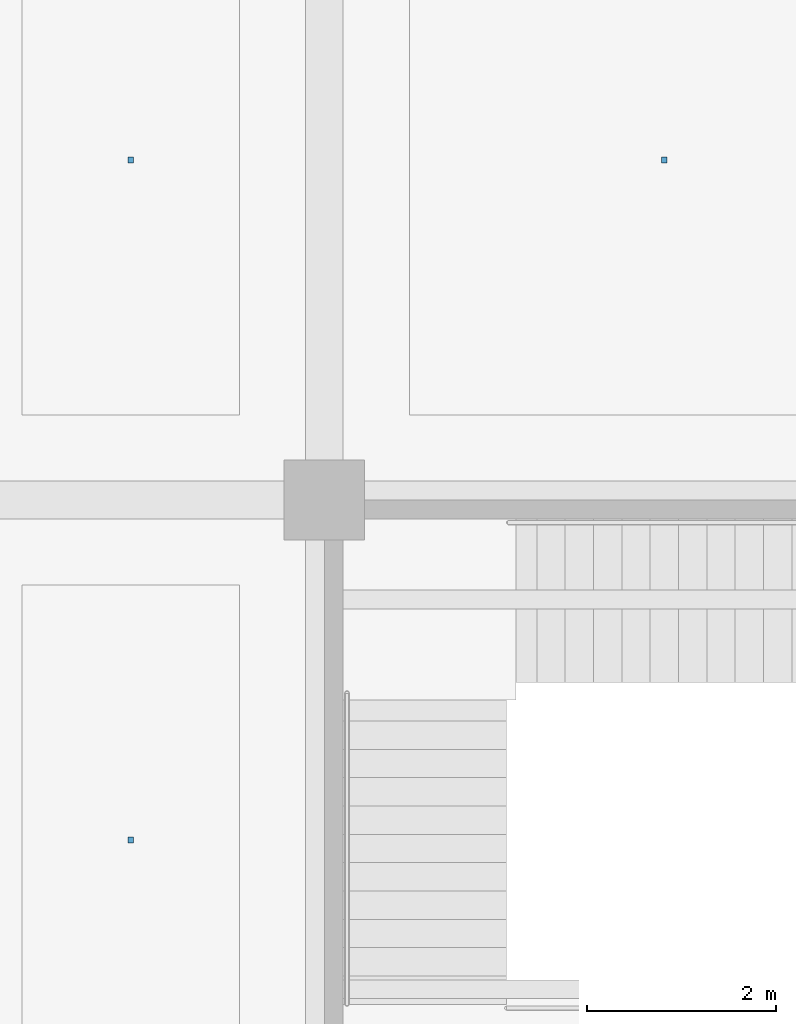
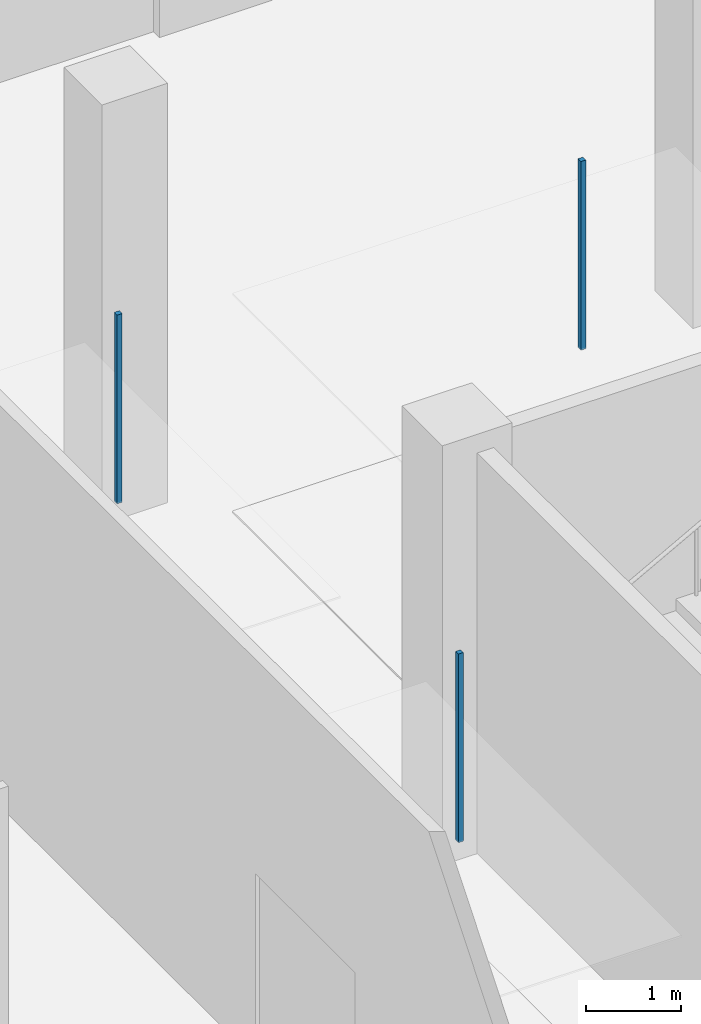
# One storey, part 82 of 90: 3 discrete accessories.
"""IFC4 building model written with IfcOpenShell, lengths in metres."""

from ifc_helpers import new_model, si_unit, direction, frame, origin, origin_2d, place, context, subcontext, project, spatial, rectangle, extrude, material, type_object, element, save


model = new_model("IFC4")

# Units and contexts
model_context = context("Model", 3, precision=1e-05, world=origin(), true_north=direction((0.0, 1.0)))
body_context = subcontext(model_context, "Body", "Model", "MODEL_VIEW")
ifc_project = project(units=[si_unit("LENGTHUNIT", "METRE"), si_unit("AREAUNIT", "SQUARE_METRE"), si_unit("VOLUMEUNIT", "CUBIC_METRE"), si_unit("PLANEANGLEUNIT", "RADIAN"), si_unit("MASSUNIT", "GRAM", prefix="KILO")], contexts=[model_context])

# Site, building, storey
site_placement = place(None, origin())
site = spatial("IfcSite", under=ifc_project, at=site_placement, CompositionType="ELEMENT")
building_placement = place(site_placement, origin())
building = spatial("IfcBuilding", under=site, at=building_placement, Name="Kangsadwip Square Police Headquarters", CompositionType="ELEMENT")
storey_placement = place(building_placement, origin())
storey = spatial("IfcBuildingStorey", under=building, at=storey_placement, Name="L00", CompositionType="ELEMENT", Elevation=0.0)

# Discrete accessories
ifc_material = material(Name="Structural steel IS 2062 E350 (Grade 350, 350 MPa)", Category="steel")
discrete_accessory_type = type_object("IfcDiscreteAccessoryType", Name="VeilOutriggerBracket", PredefinedType="BRACKET", material=ifc_material)
for number, where, z_axis, x_axis, name in (
    (1, (149.14990234375, 97.199951171875, 2.81005859375), (0.0, 0.0, 1.0), (1.0, 0.0, 0.0), "Ceiling Suspension Hanger L00-009"),
    (2, (149.14990234375, 104.39990234375, 2.81005859375), (0.0, 0.0, 1.0), (1.0, 0.0, 0.0), "Ceiling Suspension Hanger L00-010"),
    (3, (154.800048828125, 104.39990234375, 2.81005859375), (0.0, 0.0, 1.0), (1.0, 0.0, 0.0), "Ceiling Suspension Hanger L00-011"),
):
    element("IfcDiscreteAccessory", number, at=place(storey_placement, frame(where, z_axis=z_axis, x_axis=x_axis)), inside=storey, type_object=discrete_accessory_type, Name=name, PredefinedType="BRACKET", context=body_context, shape_type="SweptSolid", body=[
        extrude(rectangle(XDim=0.06005859375, YDim=0.06005859375, at=origin_2d()), origin(), (0.0, 0.0, 1.0), 2.429931640625),
    ])

save(model, "model.ifc")
